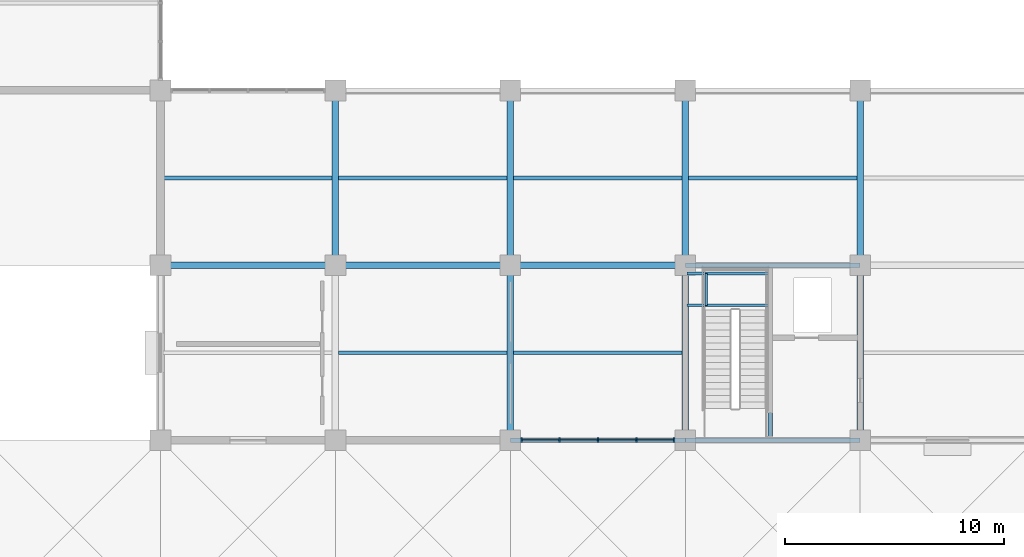
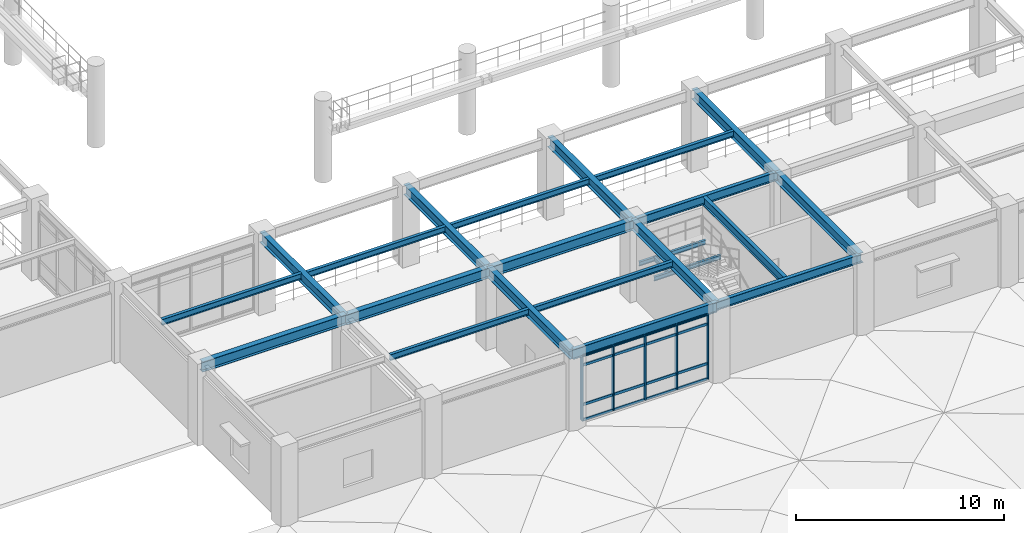
# One storey, part 11 of 109: 23 beams, 21 members, 1 element without a shape of its own.
"""IFC4 building model written with IfcOpenShell, lengths in metres."""

from ifc_helpers import new_model, si_unit, direction, frame, origin, origin_2d, place, context, subcontext, project, spatial, rectangle, i_section, extrude, material, layer, layer_set, material_profile, profile_set, type_object, element, aggregate, save


model = new_model("IFC4")

# Units and contexts
model_context = context("Model", 3, precision=1e-05, world=origin(), true_north=direction((0.0, 1.0)))
body_context = subcontext(model_context, "Body", "Model", "MODEL_VIEW")
ifc_project = project(units=[si_unit("LENGTHUNIT", "METRE"), si_unit("AREAUNIT", "SQUARE_METRE"), si_unit("VOLUMEUNIT", "CUBIC_METRE"), si_unit("PLANEANGLEUNIT", "RADIAN"), si_unit("MASSUNIT", "GRAM", prefix="KILO")], contexts=[model_context])

# Site, building, storey
site_placement = place(None, origin())
site = spatial("IfcSite", under=ifc_project, at=site_placement, CompositionType="ELEMENT")
building_placement = place(site_placement, origin())
building = spatial("IfcBuilding", under=site, at=building_placement, Name="Haebicheon Civic Stadium", CompositionType="ELEMENT")
storey_placement = place(building_placement, frame((0.0, 0.0, 9.60009765625)))
storey = spatial("IfcBuildingStorey", under=building, at=storey_placement, Name="L03", CompositionType="ELEMENT", Elevation=9.60009765625)

# Beams
ifc_material_1 = material(Name="Steel SM355 (S355)", Category="steel")
ifc_material_profile_1 = material_profile(ifc_material_1, i_section(OverallWidth=0.199951171875, OverallDepth=0.5, WebThickness=0.010009765625, FlangeThickness=0.01611328125, at=origin_2d()), Name="H-500x200x10x16")
ifc_profile_set_1 = profile_set([ifc_material_profile_1], Name="Steel SM355 (S355)")
beam_type_1 = type_object("IfcBeamType", Name="BM-ST-H500", PredefinedType="BEAM", material=ifc_profile_set_1)
for number, where, z_axis, x_axis, name in (
    (1, (88.0, 16.0, 4.289794921875), (1.0, 0.0, 0.0), (0.0, 1.0, 0.0), "L03 beam C/12-13"),
    (2, (88.0, 24.0, 4.289794921875), (1.0, 0.0, 0.0), (0.0, 1.0, 0.0), "L03 beam D/12-13"),
):
    element("IfcBeam", number, at=place(storey_placement, frame(where, z_axis=z_axis, x_axis=x_axis)), inside=storey, type_object=beam_type_1, material=ifc_profile_set_1, Name=name, PredefinedType="BEAM", context=body_context, shape_type="SweptSolid", body=[
        extrude(i_section(OverallWidth=0.199951171875, OverallDepth=0.5, WebThickness=0.010009765625, FlangeThickness=0.01611328125, at=origin_2d()), origin(), (0.0, 0.0, 1.0), 8.0),
    ])
beam_1_placement = place(storey_placement, frame((91.8798828125, 16.10009765625, 4.289794921875), z_axis=(0.0, 1.0, 0.0), x_axis=(-1.0, 0.0, 0.0)))
element("IfcBeam", 3, at=beam_1_placement, inside=storey, type_object=beam_type_1, material=ifc_profile_set_1, Name="L03 KC-06 core dividing wall support beam", PredefinedType="BEAM", context=body_context, shape_type="SweptSolid", body=[
    extrude(i_section(OverallWidth=0.199951171875, OverallDepth=0.5, WebThickness=0.010009765625, FlangeThickness=0.01611328125, at=origin_2d()), origin(), (0.0, 0.0, 1.0), 7.7998046875),
])
ifc_material_2 = material(Name="Steel SM355 (S355)", Category="steel")
ifc_material_profile_2 = material_profile(ifc_material_2, i_section(OverallWidth=0.300048828125, OverallDepth=0.60009765625, WebThickness=0.011962890625, FlangeThickness=0.02001953125, at=origin_2d()), Name="H-600x300x12x20")
ifc_profile_set_2 = profile_set([ifc_material_profile_2], Name="Steel SM355 (S355)")
beam_type_2 = type_object("IfcBeamType", Name="BM-ST-H600A", PredefinedType="BEAM", material=ifc_profile_set_2)
for number, where, z_axis, x_axis, name in (
    (4, (72.0, 24.0, 4.239990234375), (0.0, 1.0, 0.0), (-1.0, 0.0, 0.0), "L03 girder 10/D-E"),
    (5, (80.0, 16.0, 4.239990234375), (0.0, 1.0, 0.0), (-1.0, 0.0, 0.0), "L03 girder 11/C-D"),
    (6, (80.0, 24.0, 4.239990234375), (0.0, 1.0, 0.0), (-1.0, 0.0, 0.0), "L03 girder 11/D-E"),
    (7, (88.0, 16.0, 4.239990234375), (0.0, 1.0, 0.0), (-1.0, 0.0, 0.0), "L03 girder 12/C-D"),
    (8, (88.0, 24.0, 4.239990234375), (0.0, 1.0, 0.0), (-1.0, 0.0, 0.0), "L03 girder 12/D-E"),
    (9, (96.0, 16.0, 4.239990234375), (0.0, 1.0, 0.0), (-1.0, 0.0, 0.0), "L03 girder 13/C-D"),
    (10, (96.0, 24.0, 4.239990234375), (0.0, 1.0, 0.0), (-1.0, 0.0, 0.0), "L03 girder 13/D-E"),
    (11, (64.0, 24.0, 4.27978515625), (1.0, 0.0, 0.0), (0.0, 1.0, 0.0), "L03 beam D/9-10"),
    (12, (72.0, 24.0, 4.239990234375), (1.0, 0.0, 0.0), (0.0, 1.0, 0.0), "L03 beam D/10-11"),
    (13, (80.0, 24.0, 4.239990234375), (1.0, 0.0, 0.0), (0.0, 1.0, 0.0), "L03 beam D/11-12"),
):
    element("IfcBeam", number, at=place(storey_placement, frame(where, z_axis=z_axis, x_axis=x_axis)), inside=storey, type_object=beam_type_2, material=ifc_profile_set_2, Name=name, PredefinedType="BEAM", context=body_context, shape_type="SweptSolid", body=[
        extrude(i_section(OverallWidth=0.300048828125, OverallDepth=0.60009765625, WebThickness=0.011962890625, FlangeThickness=0.02001953125, at=origin_2d()), origin(), (0.0, 0.0, 1.0), 8.0),
    ])

# Curtain wall, members
ifc_material_3 = material(Name="Anodised aluminium and laminated glass", Category="aluminium")
ifc_layer = layer(ifc_material_3, 0.179931640625, Name="Anodised aluminium and laminated glass")
ifc_layer_set = layer_set([ifc_layer], Name="Anodised aluminium and laminated glass")
curtain_wall_type = type_object("IfcCurtainWallType", Name="CW-7050x3770", PredefinedType="NOTDEFINED", material=ifc_layer_set)
curtain_wall_placement = place(storey_placement, origin())
curtain_wall = element("IfcCurtainWall", 14, at=curtain_wall_placement, inside=storey, type_object=curtain_wall_type, material=ifc_layer_set, Name="L03 unitised curtain wall 080", PredefinedType="NOTDEFINED")
ifc_material_4 = material(Name="Anodised aluminium 6063-T6", Category="aluminium")
ifc_material_profile_3 = material_profile(ifc_material_4, rectangle(XDim=0.070068359375, YDim=0.199951171875, at=origin_2d()), Name="ALU-MULL-70x200")
ifc_profile_set_3 = profile_set([ifc_material_profile_3], Name="Anodised aluminium 6063-T6")
member_type_1 = type_object("IfcMemberType", Name="CWM-200x70", PredefinedType="MULLION", material=ifc_profile_set_3)
member_1_placement = place(storey_placement, frame((80.510009765625, 16.0, 0.159912109375), z_axis=(0.0, 0.0, 1.0), x_axis=(1.0, 0.0, 0.0)))
member_1 = element("IfcMember", 15, at=member_1_placement, type_object=member_type_1, material=ifc_profile_set_3, Name="CW-L03-080 vertical mullion 1", PredefinedType="MULLION", context=body_context, shape_type="SweptSolid", body=[
    extrude(rectangle(XDim=0.070068359375, YDim=0.199951171875, at=origin_2d()), origin(), (0.0, 0.0, 1.0), 3.77001953125),
])
member_2_placement = place(storey_placement, frame((82.237060546875, 16.0, 0.159912109375), z_axis=(0.0, 0.0, 1.0), x_axis=(1.0, 0.0, 0.0)))
member_2 = element("IfcMember", 16, at=member_2_placement, type_object=member_type_1, material=ifc_profile_set_3, Name="CW-L03-080 vertical mullion 2", PredefinedType="MULLION", context=body_context, shape_type="SweptSolid", body=[
    extrude(rectangle(XDim=0.070068359375, YDim=0.199951171875, at=origin_2d()), origin(), (0.0, 0.0, 1.0), 3.77001953125),
])
member_3_placement = place(storey_placement, frame((84.0, 16.0, 0.159912109375), z_axis=(0.0, 0.0, 1.0), x_axis=(1.0, 0.0, 0.0)))
member_3 = element("IfcMember", 17, at=member_3_placement, type_object=member_type_1, material=ifc_profile_set_3, Name="CW-L03-080 vertical mullion 3", PredefinedType="MULLION", context=body_context, shape_type="SweptSolid", body=[
    extrude(rectangle(XDim=0.070068359375, YDim=0.199951171875, at=origin_2d()), origin(), (0.0, 0.0, 1.0), 3.77001953125),
])
member_4_placement = place(storey_placement, frame((85.762939453125, 16.0, 0.159912109375), z_axis=(0.0, 0.0, 1.0), x_axis=(1.0, 0.0, 0.0)))
member_4 = element("IfcMember", 18, at=member_4_placement, type_object=member_type_1, material=ifc_profile_set_3, Name="CW-L03-080 vertical mullion 4", PredefinedType="MULLION", context=body_context, shape_type="SweptSolid", body=[
    extrude(rectangle(XDim=0.070068359375, YDim=0.199951171875, at=origin_2d()), origin(), (0.0, 0.0, 1.0), 3.77001953125),
])
member_5_placement = place(storey_placement, frame((87.489990234375, 16.0, 0.159912109375), z_axis=(0.0, 0.0, 1.0), x_axis=(1.0, 0.0, 0.0)))
member_5 = element("IfcMember", 19, at=member_5_placement, type_object=member_type_1, material=ifc_profile_set_3, Name="CW-L03-080 vertical mullion 5", PredefinedType="MULLION", context=body_context, shape_type="SweptSolid", body=[
    extrude(rectangle(XDim=0.070068359375, YDim=0.199951171875, at=origin_2d()), origin(), (0.0, 0.0, 1.0), 3.77001953125),
])
ifc_material_5 = material(Name="Anodised aluminium 6063-T6", Category="aluminium")
ifc_material_profile_4 = material_profile(ifc_material_5, rectangle(XDim=0.070068359375, YDim=0.14990234375, at=origin_2d()), Name="ALU-TRAN-70x150")
ifc_profile_set_4 = profile_set([ifc_material_profile_4], Name="Anodised aluminium 6063-T6")
member_type_2 = type_object("IfcMemberType", Name="CWT-150x70", PredefinedType="NOTDEFINED", material=ifc_profile_set_4)
member_6_placement = place(storey_placement, frame((80.544921875, 16.0, 0.159912109375), z_axis=(1.0, 0.0, 0.0), x_axis=(0.0, 1.0, 0.0)))
member_6 = element("IfcMember", 20, at=member_6_placement, type_object=member_type_2, material=ifc_profile_set_4, Name="CW-L03-080 horizontal transom 1.1", ObjectType="TRANSOM", PredefinedType="USERDEFINED", context=body_context, shape_type="SweptSolid", body=[
    extrude(rectangle(XDim=0.070068359375, YDim=0.14990234375, at=origin_2d()), origin(), (0.0, 0.0, 1.0), 1.656982421875),
])
member_7_placement = place(storey_placement, frame((80.544921875, 16.0, 1.059814453125), z_axis=(1.0, 0.0, 0.0), x_axis=(0.0, 1.0, 0.0)))
member_7 = element("IfcMember", 21, at=member_7_placement, type_object=member_type_2, material=ifc_profile_set_4, Name="CW-L03-080 horizontal transom 1.2", ObjectType="TRANSOM", PredefinedType="USERDEFINED", context=body_context, shape_type="SweptSolid", body=[
    extrude(rectangle(XDim=0.070068359375, YDim=0.14990234375, at=origin_2d()), origin(), (0.0, 0.0, 1.0), 1.656982421875),
])
member_8_placement = place(storey_placement, frame((80.544921875, 16.0, 3.3798828125), z_axis=(1.0, 0.0, 0.0), x_axis=(0.0, 1.0, 0.0)))
member_8 = element("IfcMember", 22, at=member_8_placement, type_object=member_type_2, material=ifc_profile_set_4, Name="CW-L03-080 horizontal transom 1.3", ObjectType="TRANSOM", PredefinedType="USERDEFINED", context=body_context, shape_type="SweptSolid", body=[
    extrude(rectangle(XDim=0.070068359375, YDim=0.14990234375, at=origin_2d()), origin(), (0.0, 0.0, 1.0), 1.656982421875),
])
member_9_placement = place(storey_placement, frame((80.544921875, 16.0, 3.929931640625), z_axis=(1.0, 0.0, 0.0), x_axis=(0.0, 1.0, 0.0)))
member_9 = element("IfcMember", 23, at=member_9_placement, type_object=member_type_2, material=ifc_profile_set_4, Name="CW-L03-080 horizontal transom 1.4", ObjectType="TRANSOM", PredefinedType="USERDEFINED", context=body_context, shape_type="SweptSolid", body=[
    extrude(rectangle(XDim=0.070068359375, YDim=0.14990234375, at=origin_2d()), origin(), (0.0, 0.0, 1.0), 1.656982421875),
])
member_10_placement = place(storey_placement, frame((82.27197265625, 16.0, 0.159912109375), z_axis=(1.0, 0.0, 0.0), x_axis=(0.0, 1.0, 0.0)))
member_10 = element("IfcMember", 24, at=member_10_placement, type_object=member_type_2, material=ifc_profile_set_4, Name="CW-L03-080 horizontal transom 2.1", ObjectType="TRANSOM", PredefinedType="USERDEFINED", context=body_context, shape_type="SweptSolid", body=[
    extrude(rectangle(XDim=0.070068359375, YDim=0.14990234375, at=origin_2d()), origin(), (0.0, 0.0, 1.0), 1.693115234375),
])
member_11_placement = place(storey_placement, frame((82.27197265625, 16.0, 1.059814453125), z_axis=(1.0, 0.0, 0.0), x_axis=(0.0, 1.0, 0.0)))
member_11 = element("IfcMember", 25, at=member_11_placement, type_object=member_type_2, material=ifc_profile_set_4, Name="CW-L03-080 horizontal transom 2.2", ObjectType="TRANSOM", PredefinedType="USERDEFINED", context=body_context, shape_type="SweptSolid", body=[
    extrude(rectangle(XDim=0.070068359375, YDim=0.14990234375, at=origin_2d()), origin(), (0.0, 0.0, 1.0), 1.693115234375),
])
member_12_placement = place(storey_placement, frame((82.27197265625, 16.0, 3.3798828125), z_axis=(1.0, 0.0, 0.0), x_axis=(0.0, 1.0, 0.0)))
member_12 = element("IfcMember", 26, at=member_12_placement, type_object=member_type_2, material=ifc_profile_set_4, Name="CW-L03-080 horizontal transom 2.3", ObjectType="TRANSOM", PredefinedType="USERDEFINED", context=body_context, shape_type="SweptSolid", body=[
    extrude(rectangle(XDim=0.070068359375, YDim=0.14990234375, at=origin_2d()), origin(), (0.0, 0.0, 1.0), 1.693115234375),
])
member_13_placement = place(storey_placement, frame((82.27197265625, 16.0, 3.929931640625), z_axis=(1.0, 0.0, 0.0), x_axis=(0.0, 1.0, 0.0)))
member_13 = element("IfcMember", 27, at=member_13_placement, type_object=member_type_2, material=ifc_profile_set_4, Name="CW-L03-080 horizontal transom 2.4", ObjectType="TRANSOM", PredefinedType="USERDEFINED", context=body_context, shape_type="SweptSolid", body=[
    extrude(rectangle(XDim=0.070068359375, YDim=0.14990234375, at=origin_2d()), origin(), (0.0, 0.0, 1.0), 1.693115234375),
])
member_14_placement = place(storey_placement, frame((84.034912109375, 16.0, 0.159912109375), z_axis=(1.0, 0.0, 0.0), x_axis=(0.0, 1.0, 0.0)))
member_14 = element("IfcMember", 28, at=member_14_placement, type_object=member_type_2, material=ifc_profile_set_4, Name="CW-L03-080 horizontal transom 3.1", ObjectType="TRANSOM", PredefinedType="USERDEFINED", context=body_context, shape_type="SweptSolid", body=[
    extrude(rectangle(XDim=0.070068359375, YDim=0.14990234375, at=origin_2d()), origin(), (0.0, 0.0, 1.0), 1.693115234375),
])
member_15_placement = place(storey_placement, frame((84.034912109375, 16.0, 1.059814453125), z_axis=(1.0, 0.0, 0.0), x_axis=(0.0, 1.0, 0.0)))
member_15 = element("IfcMember", 29, at=member_15_placement, type_object=member_type_2, material=ifc_profile_set_4, Name="CW-L03-080 horizontal transom 3.2", ObjectType="TRANSOM", PredefinedType="USERDEFINED", context=body_context, shape_type="SweptSolid", body=[
    extrude(rectangle(XDim=0.070068359375, YDim=0.14990234375, at=origin_2d()), origin(), (0.0, 0.0, 1.0), 1.693115234375),
])
member_16_placement = place(storey_placement, frame((84.034912109375, 16.0, 3.3798828125), z_axis=(1.0, 0.0, 0.0), x_axis=(0.0, 1.0, 0.0)))
member_16 = element("IfcMember", 30, at=member_16_placement, type_object=member_type_2, material=ifc_profile_set_4, Name="CW-L03-080 horizontal transom 3.3", ObjectType="TRANSOM", PredefinedType="USERDEFINED", context=body_context, shape_type="SweptSolid", body=[
    extrude(rectangle(XDim=0.070068359375, YDim=0.14990234375, at=origin_2d()), origin(), (0.0, 0.0, 1.0), 1.693115234375),
])
member_17_placement = place(storey_placement, frame((84.034912109375, 16.0, 3.929931640625), z_axis=(1.0, 0.0, 0.0), x_axis=(0.0, 1.0, 0.0)))
member_17 = element("IfcMember", 31, at=member_17_placement, type_object=member_type_2, material=ifc_profile_set_4, Name="CW-L03-080 horizontal transom 3.4", ObjectType="TRANSOM", PredefinedType="USERDEFINED", context=body_context, shape_type="SweptSolid", body=[
    extrude(rectangle(XDim=0.070068359375, YDim=0.14990234375, at=origin_2d()), origin(), (0.0, 0.0, 1.0), 1.693115234375),
])
member_18_placement = place(storey_placement, frame((85.798095703125, 16.0, 0.159912109375), z_axis=(1.0, 0.0, 0.0), x_axis=(0.0, 1.0, 0.0)))
member_18 = element("IfcMember", 32, at=member_18_placement, type_object=member_type_2, material=ifc_profile_set_4, Name="CW-L03-080 horizontal transom 4.1", ObjectType="TRANSOM", PredefinedType="USERDEFINED", context=body_context, shape_type="SweptSolid", body=[
    extrude(rectangle(XDim=0.070068359375, YDim=0.14990234375, at=origin_2d()), origin(), (0.0, 0.0, 1.0), 1.656982421875),
])
member_19_placement = place(storey_placement, frame((85.798095703125, 16.0, 1.059814453125), z_axis=(1.0, 0.0, 0.0), x_axis=(0.0, 1.0, 0.0)))
member_19 = element("IfcMember", 33, at=member_19_placement, type_object=member_type_2, material=ifc_profile_set_4, Name="CW-L03-080 horizontal transom 4.2", ObjectType="TRANSOM", PredefinedType="USERDEFINED", context=body_context, shape_type="SweptSolid", body=[
    extrude(rectangle(XDim=0.070068359375, YDim=0.14990234375, at=origin_2d()), origin(), (0.0, 0.0, 1.0), 1.656982421875),
])
member_20_placement = place(storey_placement, frame((85.798095703125, 16.0, 3.3798828125), z_axis=(1.0, 0.0, 0.0), x_axis=(0.0, 1.0, 0.0)))
member_20 = element("IfcMember", 34, at=member_20_placement, type_object=member_type_2, material=ifc_profile_set_4, Name="CW-L03-080 horizontal transom 4.3", ObjectType="TRANSOM", PredefinedType="USERDEFINED", context=body_context, shape_type="SweptSolid", body=[
    extrude(rectangle(XDim=0.070068359375, YDim=0.14990234375, at=origin_2d()), origin(), (0.0, 0.0, 1.0), 1.656982421875),
])
member_21_placement = place(storey_placement, frame((85.798095703125, 16.0, 3.929931640625), z_axis=(1.0, 0.0, 0.0), x_axis=(0.0, 1.0, 0.0)))
member_21 = element("IfcMember", 35, at=member_21_placement, type_object=member_type_2, material=ifc_profile_set_4, Name="CW-L03-080 horizontal transom 4.4", ObjectType="TRANSOM", PredefinedType="USERDEFINED", context=body_context, shape_type="SweptSolid", body=[
    extrude(rectangle(XDim=0.070068359375, YDim=0.14990234375, at=origin_2d()), origin(), (0.0, 0.0, 1.0), 1.656982421875),
])
aggregate(curtain_wall, [member_1, member_2, member_3, member_4, member_5, member_6, member_7, member_8, member_9, member_10, member_11, member_12, member_13, member_14, member_15, member_16, member_17, member_18, member_19, member_20, member_21])

# Beams
ifc_material_6 = material(Name="Steel SM355 (S355)", Category="steel")
ifc_material_profile_5 = material_profile(ifc_material_6, i_section(OverallWidth=0.125, OverallDepth=0.25, WebThickness=0.006103515625, FlangeThickness=0.009033203125, at=origin_2d()), Name="H-250x125x6x9")
ifc_profile_set_5 = profile_set([ifc_material_profile_5], Name="Steel SM355 (S355)")
beam_type_3 = type_object("IfcBeamType", Name="JST-ST-H250", PredefinedType="JOIST", material=ifc_profile_set_5)
for number, where, z_axis, x_axis, name in (
    (36, (88.080078125, 22.169921875, 2.072021484375), (1.0, 0.0, 0.0), (0.0, 1.0, 0.0), "KC-06 L03 stair half-landing front trimmer beam"),
    (37, (88.080078125, 23.6201171875, 2.072021484375), (1.0, 0.0, 0.0), (0.0, 1.0, 0.0), "KC-06 L03 stair half-landing rear trimmer beam"),
):
    element("IfcBeam", number, at=place(storey_placement, frame(where, z_axis=z_axis, x_axis=x_axis)), inside=storey, type_object=beam_type_3, material=ifc_profile_set_5, Name=name, PredefinedType="JOIST", context=body_context, shape_type="SweptSolid", body=[
        extrude(i_section(OverallWidth=0.125, OverallDepth=0.25, WebThickness=0.006103515625, FlangeThickness=0.009033203125, at=origin_2d()), origin(), (0.0, 0.0, 1.0), 3.719970703125),
    ])
beam_2_placement = place(storey_placement, frame((88.9599609375, 22.169921875, 2.072021484375), z_axis=(0.0, 1.0, 0.0), x_axis=(-1.0, 0.0, 0.0)))
element("IfcBeam", 38, at=beam_2_placement, inside=storey, type_object=beam_type_3, material=ifc_profile_set_5, Name="KC-06 L03 stair half-landing transverse tie beam", PredefinedType="JOIST", context=body_context, shape_type="SweptSolid", body=[
    extrude(i_section(OverallWidth=0.125, OverallDepth=0.25, WebThickness=0.006103515625, FlangeThickness=0.009033203125, at=origin_2d()), origin(), (0.0, 0.0, 1.0), 1.4501953125),
])
ifc_material_7 = material(Name="Steel SM355 (S355)", Category="steel")
ifc_material_profile_6 = material_profile(ifc_material_7, i_section(OverallWidth=0.175048828125, OverallDepth=0.35009765625, WebThickness=0.007080078125, FlangeThickness=0.010986328125, at=origin_2d()), Name="H-350x175x7x11")
ifc_profile_set_6 = profile_set([ifc_material_profile_6], Name="Steel SM355 (S355)")
beam_type_4 = type_object("IfcBeamType", Name="JST-ST-H350", PredefinedType="JOIST", material=ifc_profile_set_6)
beam_3_placement = place(storey_placement, frame((64.10009765625, 28.0, 4.40478515625), z_axis=(1.0, 0.0, 0.0), x_axis=(0.0, 1.0, 0.0)))
element("IfcBeam", 39, at=beam_3_placement, inside=storey, type_object=beam_type_4, material=ifc_profile_set_6, Name="L03 secondary joist 08-03", PredefinedType="JOIST", context=body_context, shape_type="SweptSolid", body=[
    extrude(i_section(OverallWidth=0.175048828125, OverallDepth=0.35009765625, WebThickness=0.007080078125, FlangeThickness=0.010986328125, at=origin_2d()), origin(), (0.0, 0.0, 1.0), 7.75),
])
for number, where, z_axis, x_axis, name in (
    (40, (72.14990234375, 20.0, 4.364990234375), (1.0, 0.0, 0.0), (0.0, 1.0, 0.0), "L03 secondary joist 09-02"),
    (41, (72.14990234375, 28.0, 4.364990234375), (1.0, 0.0, 0.0), (0.0, 1.0, 0.0), "L03 secondary joist 09-03"),
    (42, (80.14990234375, 20.0, 4.364990234375), (1.0, 0.0, 0.0), (0.0, 1.0, 0.0), "L03 secondary joist 10-02"),
    (43, (80.14990234375, 28.0, 4.364990234375), (1.0, 0.0, 0.0), (0.0, 1.0, 0.0), "L03 secondary joist 10-03"),
    (44, (88.14990234375, 28.0, 4.364990234375), (1.0, 0.0, 0.0), (0.0, 1.0, 0.0), "L03 secondary joist 11-03"),
):
    element("IfcBeam", number, at=place(storey_placement, frame(where, z_axis=z_axis, x_axis=x_axis)), inside=storey, type_object=beam_type_4, material=ifc_profile_set_6, Name=name, PredefinedType="JOIST", context=body_context, shape_type="SweptSolid", body=[
        extrude(i_section(OverallWidth=0.175048828125, OverallDepth=0.35009765625, WebThickness=0.007080078125, FlangeThickness=0.010986328125, at=origin_2d()), origin(), (0.0, 0.0, 1.0), 7.7001953125),
    ])
ifc_material_8 = material(Name="Steel SM355 (S355)", Category="steel")
ifc_material_profile_7 = material_profile(ifc_material_8, i_section(OverallWidth=0.199951171875, OverallDepth=0.60009765625, WebThickness=0.010986328125, FlangeThickness=0.01708984375, at=origin_2d()), Name="H-600x200x11x17")
ifc_profile_set_7 = profile_set([ifc_material_profile_7], Name="Steel SM355 (S355)")
beam_type_5 = type_object("IfcBeamType", Name="SPD-ST-H600B", PredefinedType="SPANDREL", material=ifc_profile_set_7)
beam_4_placement = place(storey_placement, frame((80.0, 16.0, 4.239990234375), z_axis=(1.0, 0.0, 0.0), x_axis=(0.0, 1.0, 0.0)))
element("IfcBeam", 45, at=beam_4_placement, inside=storey, type_object=beam_type_5, material=ifc_profile_set_7, Name="L03 beam C/11-12", PredefinedType="SPANDREL", context=body_context, shape_type="SweptSolid", body=[
    extrude(i_section(OverallWidth=0.199951171875, OverallDepth=0.60009765625, WebThickness=0.010986328125, FlangeThickness=0.01708984375, at=origin_2d()), origin(), (0.0, 0.0, 1.0), 8.0),
])

save(model, "model.ifc")
